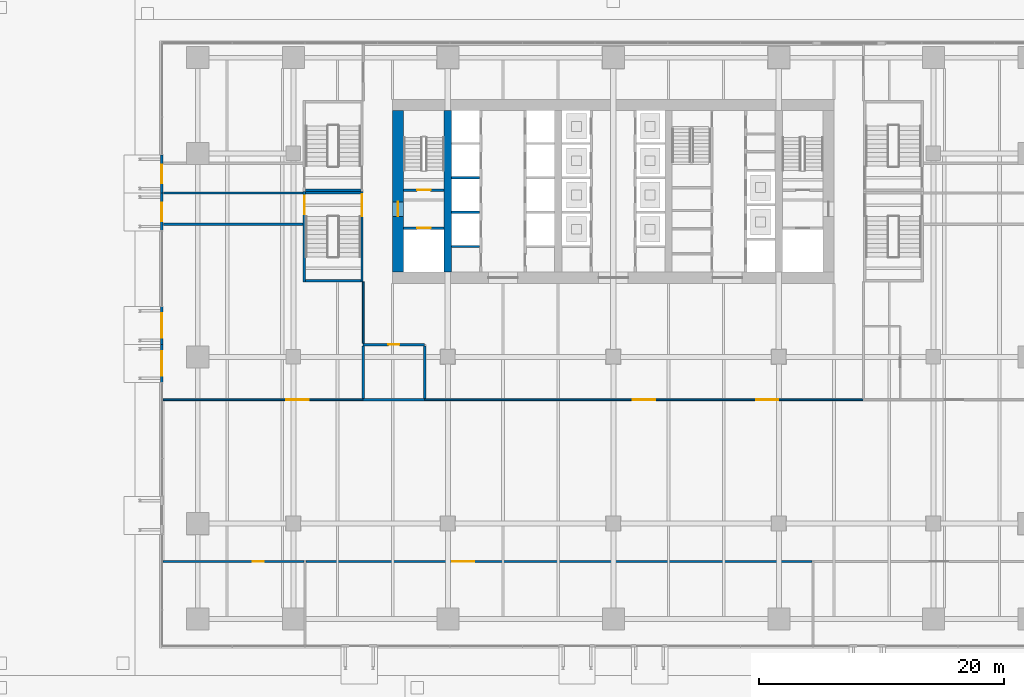
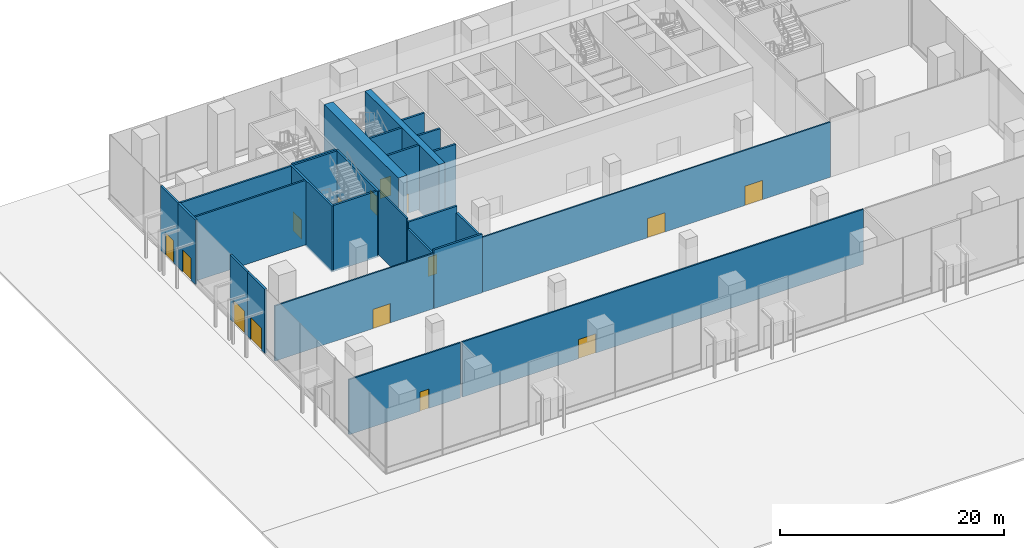
# One storey, part 29 of 41: 27 walls, 15 doors, 15 openings.
"""IFC4 building model written with IfcOpenShell, lengths in metres."""

import ifcopenshell
import ifcopenshell.guid

model = None  # the IFC model being written
_history = None  # IfcOwnerHistory: only IFC2X3 demands one
_inside = {}  # id of a spatial element -> (the spatial element, [elements in it])
_under = {}  # id of a project, library or spatial element -> (it, [spatial elements below it])
_declared = {}  # id of a project -> (the project, [libraries it declares])
_typed = {}  # id of a type object -> (the type object, [elements of that type])
_made_of = {}  # id of a material, layer set ... -> (it, [elements and type objects made of it])


def new_model(schema):
    """Start an empty IFC model of exactly this schema.

    Asked for "IFC4X3", IfcOpenShell would pick the latest addendum, in which some entities
    have other attributes; the version numbers below select the first issue.
    IFC2X3 requires an IfcOwnerHistory on every rooted entity: one is made here for all.
    """
    global model, _history
    if schema == "IFC4X3":
        model = ifcopenshell.file(schema_version=(4, 3, 0, 0))
    else:
        model = ifcopenshell.file(schema=schema)
    _inside.clear()
    _under.clear()
    _declared.clear()
    _typed.clear()
    _made_of.clear()
    _history = None
    if model.schema == "IFC2X3":
        org = make("IfcOrganization", Name="unknown")
        user = make(
            "IfcPersonAndOrganization",
            ThePerson=make("IfcPerson", FamilyName="unknown"),
            TheOrganization=org,
        )
        app = make(
            "IfcApplication",
            ApplicationDeveloper=org,
            Version="unknown",
            ApplicationFullName="unknown",
            ApplicationIdentifier="unknown",
        )
        _history = make(
            "IfcOwnerHistory",
            OwningUser=user,
            OwningApplication=app,
            ChangeAction="ADDED",
            CreationDate=0,
        )
    return model


def make(cls, **values):
    """One entity of the class cls with the attributes given. An attribute that is None is left unset."""
    return model.create_entity(
        cls, **{name: value for name, value in values.items() if value is not None}
    )


def rooted(cls, **values):
    """An entity with a GlobalId (a new one), such as an element, a storey or a relation."""
    return make(cls, GlobalId=ifcopenshell.guid.new(), OwnerHistory=_history, **values)


def si_unit(unit_type, name, prefix=None):
    """IfcSIUnit, for example si_unit("LENGTHUNIT", "METRE", prefix="MILLI")."""
    return make("IfcSIUnit", UnitType=unit_type, Prefix=prefix, Name=name)


def assignment(units):
    """IfcUnitAssignment: the units of a project."""
    return None if units is None else make("IfcUnitAssignment", Units=units)


def point(xyz):
    """IfcCartesianPoint."""
    return None if xyz is None else make("IfcCartesianPoint", Coordinates=xyz)


def direction(xyz):
    """IfcDirection."""
    return None if xyz is None else make("IfcDirection", DirectionRatios=xyz)


def frame(location, z_axis=None, x_axis=None):
    """IfcAxis2Placement3D, a coordinate frame: its origin and axes. An axis left out is left unset."""
    return make(
        "IfcAxis2Placement3D",
        Location=point(location),
        Axis=direction(z_axis),
        RefDirection=direction(x_axis),
    )


def frame_2d(location, x_axis=None):
    """IfcAxis2Placement2D, a coordinate frame in the plane: its origin and x axis."""
    return make(
        "IfcAxis2Placement2D", Location=point(location), RefDirection=direction(x_axis)
    )


def origin():
    """The frame at (0, 0, 0) with its axes left unset."""
    return frame((0.0, 0.0, 0.0))


def place(relative_to, where):
    """IfcLocalPlacement: puts the frame where relative to a parent placement (None: the world)."""
    return make(
        "IfcLocalPlacement", PlacementRelTo=relative_to, RelativePlacement=where
    )


def context(
    kind, dimensions, precision=None, world=None, true_north=None, identifier=None
):
    """IfcGeometricRepresentationContext, for example the 3D "Model" context."""
    return make(
        "IfcGeometricRepresentationContext",
        ContextIdentifier=identifier,
        ContextType=kind,
        CoordinateSpaceDimension=dimensions,
        Precision=precision,
        WorldCoordinateSystem=world,
        TrueNorth=true_north,
    )


def subcontext(parent, identifier, kind, view, scale=None):
    """IfcGeometricRepresentationSubContext, for example "Body" below "Model"."""
    return make(
        "IfcGeometricRepresentationSubContext",
        ContextIdentifier=identifier,
        ContextType=kind,
        ParentContext=parent,
        TargetScale=scale,
        TargetView=view,
    )


def project(units=None, contexts=None):
    """IfcProject with its units and contexts."""
    return rooted(
        "IfcProject",
        Name="project",
        RepresentationContexts=contexts,
        UnitsInContext=assignment(units),
    )


def spatial(cls, under=None, at=None, **own):
    """A site, building, storey or space (cls), placed at a placement, below another one or the project."""
    s = rooted(cls, ObjectPlacement=at, **own)
    if under is not None:
        _under.setdefault(under.id(), (under, []))[1].append(s)
    return s


def profile(cls, at=None, kind="AREA", **sizes):
    """A parametric profile (cls). Its sizes go by their IFC names, for example OverallWidth=200.0."""
    return make(cls, ProfileType=kind, Position=at, **sizes)


def rectangle(**sizes):
    """IfcRectangleProfileDef."""
    return profile("IfcRectangleProfileDef", **sizes)


def extrude(swept, where, along, depth):
    """IfcExtrudedAreaSolid: the profile swept, set in the frame where, extruded along a direction by depth."""
    return make(
        "IfcExtrudedAreaSolid",
        SweptArea=swept,
        Position=where,
        ExtrudedDirection=direction(along),
        Depth=depth,
    )


def shape(context_of_items, identifier, shape_type, items):
    """IfcShapeRepresentation: the items that make up one representation, for example the "Body"."""
    return make(
        "IfcShapeRepresentation",
        ContextOfItems=context_of_items,
        RepresentationIdentifier=identifier,
        RepresentationType=shape_type,
        Items=items,
    )


def material(Name=None, Category=None):
    """IfcMaterial."""
    return make("IfcMaterial", Name=Name, Category=Category)


def layer(
    of_material, thickness, ventilated=None, Name=None, Category=None, Priority=None
):
    """IfcMaterialLayer: one layer of a wall or slab, of a material (None: an air gap)."""
    return make(
        "IfcMaterialLayer",
        Material=of_material,
        LayerThickness=thickness,
        IsVentilated=ventilated,
        Name=Name,
        Category=Category,
        Priority=Priority,
    )


def layer_set(layers, Name=None):
    """IfcMaterialLayerSet."""
    return make("IfcMaterialLayerSet", MaterialLayers=layers, LayerSetName=Name)


def made_of(thing, what):
    """Note that an element or type object is made of a material, layer set ...; save() writes the relation."""
    if what is not None:
        _made_of.setdefault(what.id(), (what, []))[1].append(thing)
    return thing


def type_object(cls, material=None, **own):
    """A type object (cls), such as IfcWallType, which elements share."""
    return made_of(rooted(cls, **own), material)


def element(
    cls,
    number,
    at=None,
    inside=None,
    cuts=None,
    type_object=None,
    material=None,
    context=None,
    identifier="Body",
    shape_type=None,
    held_by="IfcProductDefinitionShape",
    body=None,
    shapes=None,
    **own,
):
    """One element of the class cls, such as IfcWall. Its Tag is "e" and its number.

    at: its placement. inside: the storey or other place that contains it. cuts: it is an
    opening in that element (IfcRelVoidsElement). A single representation is given by context,
    identifier, shape_type and body (its items); several are given by shapes. held_by: the class
    of the entity that holds the representations. save() writes the other relations.
    """
    e = rooted(cls, Tag="e%d" % number, ObjectPlacement=at, **own)
    if body is not None:
        shapes = [shape(context, identifier, shape_type, body)]
    if shapes is not None:
        e.Representation = make(held_by, Representations=shapes)
    if inside is not None:
        _inside.setdefault(inside.id(), (inside, []))[1].append(e)
    if cuts is not None:
        rooted(
            "IfcRelVoidsElement", RelatingBuildingElement=cuts, RelatedOpeningElement=e
        )
    if type_object is not None:
        _typed.setdefault(type_object.id(), (type_object, []))[1].append(e)
    return made_of(e, material)


def fill(opening, filler):
    """IfcRelFillsElement: the door or window that sits in an opening."""
    return rooted(
        "IfcRelFillsElement",
        RelatingOpeningElement=opening,
        RelatedBuildingElement=filler,
    )


def aggregate(whole, parts):
    """IfcRelAggregates: a whole, such as a stair, and the parts it consists of."""
    return rooted("IfcRelAggregates", RelatingObject=whole, RelatedObjects=parts)


def save(model, path):
    """Write the relations noted so far, then the file.

    IfcRelAggregates (storeys below a building ...), IfcRelContainedInSpatialStructure (elements
    in a storey), IfcRelDefinesByType, IfcRelAssociatesMaterial and IfcRelDeclares: one each for
    every whole, place, type object, material and project.
    """
    for whole, parts in _under.values():
        aggregate(whole, parts)
    for where, things in _inside.values():
        rooted(
            "IfcRelContainedInSpatialStructure",
            RelatedElements=things,
            RelatingStructure=where,
        )
    for kind, things in _typed.values():
        rooted("IfcRelDefinesByType", RelatedObjects=things, RelatingType=kind)
    for what, things in _made_of.values():
        rooted("IfcRelAssociatesMaterial", RelatedObjects=things, RelatingMaterial=what)
    for by, libraries in _declared.values():
        rooted("IfcRelDeclares", RelatingContext=by, RelatedDefinitions=libraries)
    model.write(path)


model = new_model("IFC4")

# Units and contexts
model_context = context("Model", 3, precision=1e-05, world=origin(), true_north=direction((0.0, 1.0)))
body_context = subcontext(model_context, "Body", "Model", "MODEL_VIEW")
ifc_project = project(units=[si_unit("LENGTHUNIT", "METRE"), si_unit("AREAUNIT", "SQUARE_METRE"), si_unit("VOLUMEUNIT", "CUBIC_METRE"), si_unit("PLANEANGLEUNIT", "RADIAN"), si_unit("MASSUNIT", "GRAM", prefix="KILO")], contexts=[model_context])

# Site, building, storey
site_placement = place(None, origin())
site = spatial("IfcSite", under=ifc_project, at=site_placement, CompositionType="ELEMENT")
building_placement = place(site_placement, origin())
building = spatial("IfcBuilding", under=site, at=building_placement, Name="Rattan Terrace Tower", CompositionType="ELEMENT")
storey_placement = place(building_placement, origin())
storey = spatial("IfcBuildingStorey", under=building, at=storey_placement, Name="L00", CompositionType="ELEMENT", Elevation=0.0)

# Wall, opening, door
ifc_material_1 = material(Name="Gypsum board partition")
ifc_layer_1 = layer(ifc_material_1, 0.199951171875)
ifc_layer_set_1 = layer_set([ifc_layer_1], Name="Core partition 200")
wall_type_1 = type_object("IfcWallType", Name="Core partition 200", PredefinedType="PARTITIONING", material=ifc_layer_set_1)
wall_1_placement = place(storey_placement, frame((-17.10009765625, -3.0, 0.0), z_axis=(0.0, 0.0, 1.0), x_axis=(1.0, 0.0, 0.0)))
wall_1 = element("IfcWall", 1, at=wall_1_placement, inside=storey, type_object=wall_type_1, Name="Fire-fighting lobby wall", PredefinedType="PARTITIONING", context=body_context, shape_type="SweptSolid", body=[
    extrude(rectangle(XDim=3.300048828125, YDim=0.199951171875, at=frame_2d((1.64990234375, 0.0))), origin(), (0.0, 0.0, 1.0), 7.0),
])
opening_1_placement = place(wall_1_placement, frame((1.10009765625, 0.0, 0.0)))
opening_1 = element("IfcOpeningElement", 2, at=opening_1_placement, cuts=wall_1, Name="Opening L00-LD-FF1", PredefinedType="OPENING", context=body_context, shape_type="SweptSolid", body=[
    extrude(rectangle(XDim=1.10009765625, YDim=2.10009765625, at=frame_2d((0.550048828125, 1.050048828125))), frame((0.0, 0.110595703125, 0.0), z_axis=(0.0, -1.0, 0.0), x_axis=(1.0, 0.0, 0.0)), (0.0, 0.0, 1.0), 0.220947265625),
])
ifc_material_2 = material(Name="Brushed stainless landing door panel")
door_type_1 = type_object("IfcDoorType", Name="Core lift landing door 1100", OperationType="DOUBLE_DOOR_SLIDING", PredefinedType="DOOR", material=ifc_material_2)
door_1_placement = place(opening_1_placement, origin())
door_1 = element("IfcDoor", 3, at=door_1_placement, inside=storey, type_object=door_type_1, Name="Door L00-LD-FF1", OperationType="DOUBLE_DOOR_SLIDING", OverallHeight=2.10009765625, OverallWidth=1.10009765625, PredefinedType="DOOR", context=body_context, shape_type="SweptSolid", body=[
    extrude(rectangle(XDim=1.10009765625, YDim=2.10009765625, at=frame_2d((0.550048828125, 1.050048828125))), frame((0.0, 0.02490234375, 0.0), z_axis=(0.0, -1.0, 0.0), x_axis=(1.0, 0.0, 0.0)), (0.0, 0.0, 1.0), 0.050048828125),
])
fill(opening_1, door_1)

wall_2_placement = place(storey_placement, frame((-17.10009765625, 0.10009765625, 0.0), z_axis=(0.0, 0.0, 1.0), x_axis=(1.0, 0.0, 0.0)))
wall_2 = element("IfcWall", 4, at=wall_2_placement, inside=storey, type_object=wall_type_1, Name="Stair enclosure wall", PredefinedType="PARTITIONING", context=body_context, shape_type="SweptSolid", body=[
    extrude(rectangle(XDim=3.300048828125, YDim=0.199951171875, at=frame_2d((1.64990234375, 0.0))), origin(), (0.0, 0.0, 1.0), 7.0),
])
opening_2_placement = place(wall_2_placement, frame((1.10009765625, 0.0, 0.0)))
opening_2 = element("IfcOpeningElement", 5, at=opening_2_placement, cuts=wall_2, Name="Opening L00-D002", PredefinedType="OPENING", context=body_context, shape_type="SweptSolid", body=[
    extrude(rectangle(XDim=1.10009765625, YDim=2.10009765625, at=frame_2d((0.550048828125, 1.050048828125))), frame((0.0, 0.110595703125, 0.0), z_axis=(0.0, -1.0, 0.0), x_axis=(1.0, 0.0, 0.0)), (0.0, 0.0, 1.0), 0.220947265625),
])
ifc_material_3 = material(Name="Hollow-metal fire door leaf")
door_type_2 = type_object("IfcDoorType", Name="Core stair door 1100", OperationType="NOTDEFINED", PredefinedType="DOOR", material=ifc_material_3)
door_2_placement = place(opening_2_placement, origin())
door_2 = element("IfcDoor", 6, at=door_2_placement, inside=storey, type_object=door_type_2, Name="Door L00-D002", OperationType="SINGLE_SWING_LEFT", OverallHeight=2.10009765625, OverallWidth=1.10009765625, PredefinedType="DOOR", context=body_context, shape_type="SweptSolid", body=[
    extrude(rectangle(XDim=1.10009765625, YDim=2.10009765625, at=frame_2d((0.550048828125, 1.050048828125))), frame((0.0, 0.02490234375, 0.0), z_axis=(0.0, -1.0, 0.0), x_axis=(1.0, 0.0, 0.0)), (0.0, 0.0, 1.0), 0.050048828125),
])
fill(opening_2, door_2)

ifc_material_4 = material(Name="Concrete C70/85", Category="concrete")
ifc_layer_2 = layer(ifc_material_4, 0.89990234375)
ifc_layer_set_2 = layer_set([ifc_layer_2], Name="Core ring wall 900 C70/85")
wall_type_2 = type_object("IfcWallType", Name="Core ring wall 900 C70/85", PredefinedType="SHEAR", material=ifc_layer_set_2)
wall_3_placement = place(storey_placement, frame((-17.550048828125, -6.60009765625, -0.199951171875), z_axis=(0.0, 0.0, 1.0), x_axis=(0.0, 1.0, 0.0)))
wall_3 = element("IfcWall", 7, at=wall_3_placement, inside=storey, type_object=wall_type_2, Name="Rear core wall west", PredefinedType="SHEAR", context=body_context, shape_type="SweptSolid", body=[
    extrude(rectangle(XDim=13.2001953125, YDim=0.89990234375, at=frame_2d((6.60009765625, 0.0))), origin(), (0.0, 0.0, 1.0), 7.199951171875),
])
opening_3_placement = place(wall_3_placement, frame((4.550048828125, 0.0, 0.199951171875)))
opening_3 = element("IfcOpeningElement", 8, at=opening_3_placement, cuts=wall_3, Name="Opening L00-D001", PredefinedType="OPENING", context=body_context, shape_type="SweptSolid", body=[
    extrude(rectangle(XDim=1.199951171875, YDim=2.10009765625, at=frame_2d((0.60009765625, 1.050048828125))), frame((0.0, 0.46044921875, 0.0), z_axis=(0.0, -1.0, 0.0), x_axis=(1.0, 0.0, 0.0)), (0.0, 0.0, 1.0), 0.9208984375),
])
ifc_material_5 = material(Name="Hollow-metal fire door leaf")
door_type_3 = type_object("IfcDoorType", Name="Core fire-fighting lobby door 1200", OperationType="NOTDEFINED", PredefinedType="DOOR", material=ifc_material_5)
door_3_placement = place(opening_3_placement, origin())
door_3 = element("IfcDoor", 9, at=door_3_placement, inside=storey, type_object=door_type_3, Name="Door L00-D001", OperationType="SINGLE_SWING_RIGHT", OverallHeight=2.10009765625, OverallWidth=1.199951171875, PredefinedType="DOOR", context=body_context, shape_type="SweptSolid", body=[
    extrude(rectangle(XDim=1.199951171875, YDim=2.10009765625, at=frame_2d((0.60009765625, 1.050048828125))), frame((0.0, 0.02490234375, 0.0), z_axis=(0.0, -1.0, 0.0), x_axis=(1.0, 0.0, 0.0)), (0.0, 0.0, 1.0), 0.050048828125),
])
fill(opening_3, door_3)

# Walls
ifc_material_6 = material(Name="Concrete C70/85", Category="concrete")
ifc_layer_3 = layer(ifc_material_6, 0.60009765625)
ifc_layer_set_3 = layer_set([ifc_layer_3], Name="Core spine wall 600 C70/85")
wall_type_3 = type_object("IfcWallType", Name="Core spine wall 600 C70/85", PredefinedType="SHEAR", material=ifc_layer_set_3)
wall_4_placement = place(storey_placement, frame((-13.5, -6.60009765625, -0.199951171875), z_axis=(0.0, 0.0, 1.0), x_axis=(0.0, 1.0, 0.0)))
element("IfcWall", 10, at=wall_4_placement, inside=storey, type_object=wall_type_3, Name="Core spine wall 1", PredefinedType="SHEAR", context=body_context, shape_type="SweptSolid", body=[
    extrude(rectangle(XDim=13.2001953125, YDim=0.60009765625, at=frame_2d((6.60009765625, 0.0))), origin(), (0.0, 0.0, 1.0), 7.199951171875),
])
ifc_material_7 = material(Name="Concrete block wall, plastered", Category="concrete")
ifc_layer_4 = layer(ifc_material_7, 0.179931640625)
ifc_layer_set_4 = layer_set([ifc_layer_4], Name="Exit passage wall 180")
wall_type_4 = type_object("IfcWallType", Name="Exit passage wall 180", PredefinedType="PARTITIONING", material=ifc_layer_set_4)
for number, where, z_axis, x_axis, name in (
    (11, (-36.699951171875, -2.68994140625, 0.0), (0.0, 0.0, 1.0), (1.0, 0.0, 0.0), "L00 exit passage wall S-W"),
    (12, (-36.699951171875, -0.125, 0.0), (0.0, 0.0, 1.0), (1.0, 0.0, 0.0), "L00 exit passage wall M-W"),
):
    element("IfcWall", number, at=place(storey_placement, frame(where, z_axis=z_axis, x_axis=x_axis)), inside=storey, type_object=wall_type_4, Name=name, PredefinedType="PARTITIONING", context=body_context, shape_type="SweptSolid", body=[
        extrude(rectangle(XDim=11.39990234375, YDim=0.179931640625, at=frame_2d((5.699951171875, 0.0))), origin(), (0.0, 0.0, 1.0), 7.0),
    ])

# Wall, opening, door
ifc_material_8 = material(Name="Insulated aluminium-clad stud wall", Category="aluminium")
ifc_layer_5 = layer(ifc_material_8, 0.199951171875)
ifc_layer_set_5 = layer_set([ifc_layer_5], Name="Facade Door Wall 200")
wall_type_5 = type_object("IfcWallType", Name="Facade Door Wall 200", PredefinedType="SOLIDWALL", material=ifc_layer_set_5)
wall_5_placement = place(storey_placement, frame((-36.830078125, -0.1259765625, 0.0), z_axis=(0.0, 0.0, 1.0), x_axis=(0.0, 1.0, 0.0)))
wall_5 = element("IfcWall", 13, at=wall_5_placement, inside=storey, type_object=wall_type_5, Name="Exit door wall L00-6", PredefinedType="SOLIDWALL", context=body_context, shape_type="SweptSolid", body=[
    extrude(rectangle(XDim=3.093994140625, YDim=0.199951171875, at=frame_2d((1.546875, 0.0))), origin(), (0.0, 0.0, 1.0), 7.0),
])
opening_4_placement = place(wall_5_placement, frame((0.797119140625, 0.0, 0.0)))
opening_4 = element("IfcOpeningElement", 14, at=opening_4_placement, cuts=wall_5, Name="Opening L00-D813", PredefinedType="OPENING", context=body_context, shape_type="SweptSolid", body=[
    extrude(rectangle(XDim=1.5, YDim=2.39990234375, at=frame_2d((0.75, 1.199951171875))), frame((0.0, 0.110595703125, 0.0), z_axis=(0.0, -1.0, 0.0), x_axis=(1.0, 0.0, 0.0)), (0.0, 0.0, 1.0), 0.220947265625),
])
ifc_material_9 = material(Name="Aluminium and clear glass", Category="aluminium")
door_type_4 = type_object("IfcDoorType", Name="Facade Station Exit Door 1500", OperationType="DOUBLE_DOOR_SINGLE_SWING", PredefinedType="DOOR", material=ifc_material_9)
door_4_placement = place(opening_4_placement, origin())
door_4 = element("IfcDoor", 15, at=door_4_placement, inside=storey, type_object=door_type_4, Name="Exit door L00-D813", OperationType="DOUBLE_DOOR_SINGLE_SWING", OverallHeight=2.39990234375, OverallWidth=1.5, PredefinedType="DOOR", context=body_context, shape_type="SweptSolid", body=[
    extrude(rectangle(XDim=1.5, YDim=2.39990234375, at=frame_2d((0.75, 1.199951171875))), frame((0.0, 0.02490234375, 0.0), z_axis=(0.0, -1.0, 0.0), x_axis=(1.0, 0.0, 0.0)), (0.0, 0.0, 1.0), 0.050048828125),
])
fill(opening_4, door_4)

wall_6_placement = place(storey_placement, frame((-36.830078125, -3.219970703125, 0.0), z_axis=(0.0, 0.0, 1.0), x_axis=(0.0, 1.0, 0.0)))
wall_6 = element("IfcWall", 16, at=wall_6_placement, inside=storey, type_object=wall_type_5, Name="Exit door wall L00-7", PredefinedType="SOLIDWALL", context=body_context, shape_type="SweptSolid", body=[
    extrude(rectangle(XDim=3.093994140625, YDim=0.199951171875, at=frame_2d((1.546875, 0.0))), origin(), (0.0, 0.0, 1.0), 7.0),
])
opening_5_placement = place(wall_6_placement, frame((0.797119140625, 0.0, 0.0)))
opening_5 = element("IfcOpeningElement", 17, at=opening_5_placement, cuts=wall_6, Name="Opening L00-D814", PredefinedType="OPENING", context=body_context, shape_type="SweptSolid", body=[
    extrude(rectangle(XDim=1.5, YDim=2.39990234375, at=frame_2d((0.75, 1.199951171875))), frame((0.0, 0.110595703125, 0.0), z_axis=(0.0, -1.0, 0.0), x_axis=(1.0, 0.0, 0.0)), (0.0, 0.0, 1.0), 0.220947265625),
])
door_5_placement = place(opening_5_placement, origin())
door_5 = element("IfcDoor", 18, at=door_5_placement, inside=storey, type_object=door_type_4, Name="Exit door L00-D814", OperationType="DOUBLE_DOOR_SINGLE_SWING", OverallHeight=2.39990234375, OverallWidth=1.5, PredefinedType="DOOR", context=body_context, shape_type="SweptSolid", body=[
    extrude(rectangle(XDim=1.5, YDim=2.39990234375, at=frame_2d((0.75, 1.199951171875))), frame((0.0, 0.02490234375, 0.0), z_axis=(0.0, -1.0, 0.0), x_axis=(1.0, 0.0, 0.0)), (0.0, 0.0, 1.0), 0.050048828125),
])
fill(opening_5, door_5)

wall_7_placement = place(storey_placement, frame((-36.830078125, -9.407958984375, 0.0), z_axis=(0.0, 0.0, 1.0), x_axis=(0.0, -1.0, 0.0)))
wall_7 = element("IfcWall", 19, at=wall_7_placement, inside=storey, type_object=wall_type_5, Name="Entrance door wall L00-8", PredefinedType="SOLIDWALL", context=body_context, shape_type="SweptSolid", body=[
    extrude(rectangle(XDim=3.093994140625, YDim=0.199951171875, at=frame_2d((1.546875, 0.0))), origin(), (0.0, 0.0, 1.0), 7.0),
])
opening_6_placement = place(wall_7_placement, frame((0.547119140625, 0.0, 0.0)))
opening_6 = element("IfcOpeningElement", 20, at=opening_6_placement, cuts=wall_7, Name="Opening L00-D803", PredefinedType="OPENING", context=body_context, shape_type="SweptSolid", body=[
    extrude(rectangle(XDim=2.0, YDim=2.39990234375, at=frame_2d((1.0, 1.199951171875))), frame((0.0, 0.110595703125, 0.0), z_axis=(0.0, -1.0, 0.0), x_axis=(1.0, 0.0, 0.0)), (0.0, 0.0, 1.0), 0.220947265625),
])
ifc_material_10 = material(Name="Aluminium and clear glass", Category="aluminium")
door_type_5 = type_object("IfcDoorType", Name="Facade Entrance Door 2000", OperationType="DOUBLE_DOOR_SINGLE_SWING", PredefinedType="DOOR", material=ifc_material_10)
door_6_placement = place(opening_6_placement, origin())
door_6 = element("IfcDoor", 21, at=door_6_placement, inside=storey, type_object=door_type_5, Name="Entrance door L00-D803", OperationType="DOUBLE_DOOR_SINGLE_SWING", OverallHeight=2.39990234375, OverallWidth=2.0, PredefinedType="DOOR", context=body_context, shape_type="SweptSolid", body=[
    extrude(rectangle(XDim=2.0, YDim=2.39990234375, at=frame_2d((1.0, 1.199951171875))), frame((0.0, 0.02490234375, 0.0), z_axis=(0.0, -1.0, 0.0), x_axis=(1.0, 0.0, 0.0)), (0.0, 0.0, 1.0), 0.050048828125),
])
fill(opening_6, door_6)

wall_8_placement = place(storey_placement, frame((-36.830078125, -12.501953125, 0.0), z_axis=(0.0, 0.0, 1.0), x_axis=(0.0, -1.0, 0.0)))
wall_8 = element("IfcWall", 22, at=wall_8_placement, inside=storey, type_object=wall_type_5, Name="Entrance door wall L00-9", PredefinedType="SOLIDWALL", context=body_context, shape_type="SweptSolid", body=[
    extrude(rectangle(XDim=3.093994140625, YDim=0.199951171875, at=frame_2d((1.546875, 0.0))), origin(), (0.0, 0.0, 1.0), 7.0),
])
opening_7_placement = place(wall_8_placement, frame((0.547119140625, 0.0, 0.0)))
opening_7 = element("IfcOpeningElement", 23, at=opening_7_placement, cuts=wall_8, Name="Opening L00-D804", PredefinedType="OPENING", context=body_context, shape_type="SweptSolid", body=[
    extrude(rectangle(XDim=2.0, YDim=2.39990234375, at=frame_2d((1.0, 1.199951171875))), frame((0.0, 0.110595703125, 0.0), z_axis=(0.0, -1.0, 0.0), x_axis=(1.0, 0.0, 0.0)), (0.0, 0.0, 1.0), 0.220947265625),
])
door_7_placement = place(opening_7_placement, origin())
door_7 = element("IfcDoor", 24, at=door_7_placement, inside=storey, type_object=door_type_5, Name="Entrance door L00-D804", OperationType="DOUBLE_DOOR_SINGLE_SWING", OverallHeight=2.39990234375, OverallWidth=2.0, PredefinedType="DOOR", context=body_context, shape_type="SweptSolid", body=[
    extrude(rectangle(XDim=2.0, YDim=2.39990234375, at=frame_2d((1.0, 1.199951171875))), frame((0.0, 0.02490234375, 0.0), z_axis=(0.0, -1.0, 0.0), x_axis=(1.0, 0.0, 0.0)), (0.0, 0.0, 1.0), 0.050048828125),
])
fill(opening_7, door_7)

ifc_material_11 = material(Name="Concrete block wall, plastered", Category="concrete")
ifc_layer_6 = layer(ifc_material_11, 0.199951171875)
ifc_layer_set_6 = layer_set([ifc_layer_6], Name="Floors Plant Wall 200")
wall_type_6 = type_object("IfcWallType", Name="Floors Plant Wall 200", PredefinedType="PARTITIONING", material=ifc_layer_set_6)
wall_9_placement = place(storey_placement, frame((-15.39990234375, -12.5, 0.0), z_axis=(0.0, 0.0, 1.0), x_axis=(-1.0, 0.0, 0.0)))
wall_9 = element("IfcWall", 25, at=wall_9_placement, inside=storey, type_object=wall_type_6, Name="pt-L00-001", PredefinedType="PARTITIONING", context=body_context, shape_type="SweptSolid", body=[
    extrude(rectangle(XDim=5.0, YDim=0.199951171875, at=frame_2d((2.5, 0.0))), origin(), (0.0, 0.0, 1.0), 6.699951171875),
])
opening_8_placement = place(wall_9_placement, frame((2.050048828125, 0.0, 0.0)))
opening_8 = element("IfcOpeningElement", 26, at=opening_8_placement, cuts=wall_9, Name="Opening L00-D102", PredefinedType="OPENING", context=body_context, shape_type="SweptSolid", body=[
    extrude(rectangle(XDim=0.89990234375, YDim=2.10009765625, at=frame_2d((0.449951171875, 1.050048828125))), frame((0.0, 0.110595703125, 0.0), z_axis=(0.0, -1.0, 0.0), x_axis=(1.0, 0.0, 0.0)), (0.0, 0.0, 1.0), 0.220947265625),
])
ifc_material_12 = material(Name="Steel fire door set", Category="steel")
door_type_6 = type_object("IfcDoorType", Name="Floors Fire Door FD60 900x2100", OperationType="NOTDEFINED", PredefinedType="DOOR", material=ifc_material_12)
door_8_placement = place(opening_8_placement, origin())
door_8 = element("IfcDoor", 27, at=door_8_placement, inside=storey, type_object=door_type_6, Name="d-L00-102", OperationType="SINGLE_SWING_LEFT", OverallHeight=2.10009765625, OverallWidth=0.89990234375, PredefinedType="DOOR", context=body_context, shape_type="SweptSolid", body=[
    extrude(rectangle(XDim=0.89990234375, YDim=2.10009765625, at=frame_2d((0.449951171875, 1.050048828125))), frame((0.0, 0.02490234375, 0.0), z_axis=(0.0, -1.0, 0.0), x_axis=(1.0, 0.0, 0.0)), (0.0, 0.0, 1.0), 0.050048828125),
])
fill(opening_8, door_8)

# Walls
wall_10_placement = place(storey_placement, frame((-15.39892578125, -16.89990234375, 0.0), z_axis=(0.0, 0.0, 1.0), x_axis=(0.0, 1.0, 0.0)))
element("IfcWall", 28, at=wall_10_placement, inside=storey, type_object=wall_type_6, Name="pt-L00-002", PredefinedType="PARTITIONING", context=body_context, shape_type="SweptSolid", body=[
    extrude(rectangle(XDim=4.2998046875, YDim=0.199951171875, at=frame_2d((2.14990234375, 0.0))), origin(), (0.0, 0.0, 1.0), 6.0),
])
wall_11_placement = place(storey_placement, frame((-15.39990234375, -17.0, 0.0), z_axis=(0.0, 0.0, 1.0), x_axis=(-1.0, 0.0, 0.0)))
element("IfcWall", 29, at=wall_11_placement, inside=storey, type_object=wall_type_6, Name="pt-L00-009", PredefinedType="PARTITIONING", context=body_context, shape_type="SweptSolid", body=[
    extrude(rectangle(XDim=5.0, YDim=0.199951171875, at=frame_2d((2.5, 0.0))), origin(), (0.0, 0.0, 1.0), 6.389892578125),
])
wall_12_placement = place(storey_placement, frame((-20.40087890625, -16.89990234375, 0.0), z_axis=(0.0, 0.0, 1.0), x_axis=(0.0, 1.0, 0.0)))
element("IfcWall", 30, at=wall_12_placement, inside=storey, type_object=wall_type_6, Name="pt-L00-010", PredefinedType="PARTITIONING", context=body_context, shape_type="SweptSolid", body=[
    extrude(rectangle(XDim=4.2998046875, YDim=0.199951171875, at=frame_2d((2.14990234375, 0.0))), origin(), (0.0, 0.0, 1.0), 6.0),
])

# Wall, openings, doors
ifc_material_13 = material(Name="Gypsum board partition on steel studs, fire rated", Category="steel")
ifc_layer_7 = layer(ifc_material_13, 0.14990234375)
ifc_layer_set_7 = layer_set([ifc_layer_7], Name="Floors Tenancy Wall 150")
wall_type_7 = type_object("IfcWallType", Name="Floors Tenancy Wall 150", PredefinedType="PARTITIONING", material=ifc_layer_set_7)
wall_13_placement = place(storey_placement, frame((-15.39990234375, -17.0, 0.0), z_axis=(0.0, 0.0, 1.0), x_axis=(1.0, 0.0, 0.0)))
wall_13 = element("IfcWall", 31, at=wall_13_placement, inside=storey, type_object=wall_type_7, Name="pt-L00-003", PredefinedType="PARTITIONING", context=body_context, shape_type="SweptSolid", body=[
    extrude(rectangle(XDim=35.7998046875, YDim=0.14990234375, at=frame_2d((17.89990234375, 0.0))), origin(), (0.0, 0.0, 1.0), 6.0),
])
opening_9_placement = place(wall_13_placement, frame((17.0, 0.0, 0.0)))
opening_9 = element("IfcOpeningElement", 32, at=opening_9_placement, cuts=wall_13, Name="Opening L00-D100", PredefinedType="OPENING", context=body_context, shape_type="SweptSolid", body=[
    extrude(rectangle(XDim=1.800048828125, YDim=2.10009765625, at=frame_2d((0.89990234375, 1.050048828125))), frame((0.0, 0.08544921875, 0.0), z_axis=(0.0, -1.0, 0.0), x_axis=(1.0, 0.0, 0.0)), (0.0, 0.0, 1.0), 0.1708984375),
])
opening_10_placement = place(wall_13_placement, frame((27.050048828125, 0.0, 0.0)))
opening_10 = element("IfcOpeningElement", 33, at=opening_10_placement, cuts=wall_13, Name="Opening L00-D101", PredefinedType="OPENING", context=body_context, shape_type="SweptSolid", body=[
    extrude(rectangle(XDim=1.800048828125, YDim=2.10009765625, at=frame_2d((0.89990234375, 1.050048828125))), frame((0.0, 0.08544921875, 0.0), z_axis=(0.0, -1.0, 0.0), x_axis=(1.0, 0.0, 0.0)), (0.0, 0.0, 1.0), 0.1708984375),
])
ifc_material_14 = material(Name="Steel fire door set", Category="steel")
door_type_7 = type_object("IfcDoorType", Name="Floors Fire Door Pair FD30S 1800x2100", OperationType="NOTDEFINED", PredefinedType="DOOR", material=ifc_material_14)
door_9_placement = place(opening_9_placement, origin())
door_9 = element("IfcDoor", 34, at=door_9_placement, inside=storey, type_object=door_type_7, Name="d-L00-100", OperationType="DOUBLE_DOOR_SINGLE_SWING", OverallHeight=2.10009765625, OverallWidth=1.800048828125, PredefinedType="DOOR", context=body_context, shape_type="SweptSolid", body=[
    extrude(rectangle(XDim=1.800048828125, YDim=2.10009765625, at=frame_2d((0.89990234375, 1.050048828125))), frame((0.0, 0.02490234375, 0.0), z_axis=(0.0, -1.0, 0.0), x_axis=(1.0, 0.0, 0.0)), (0.0, 0.0, 1.0), 0.050048828125),
])
fill(opening_9, door_9)
door_10_placement = place(opening_10_placement, origin())
door_10 = element("IfcDoor", 35, at=door_10_placement, inside=storey, type_object=door_type_7, Name="d-L00-101", OperationType="DOUBLE_DOOR_SINGLE_SWING", OverallHeight=2.10009765625, OverallWidth=1.800048828125, PredefinedType="DOOR", context=body_context, shape_type="SweptSolid", body=[
    extrude(rectangle(XDim=1.800048828125, YDim=2.10009765625, at=frame_2d((0.89990234375, 1.050048828125))), frame((0.0, 0.02490234375, 0.0), z_axis=(0.0, -1.0, 0.0), x_axis=(1.0, 0.0, 0.0)), (0.0, 0.0, 1.0), 0.050048828125),
])
fill(opening_10, door_10)

# Wall
wall_14_placement = place(storey_placement, frame((-20.39990234375, -12.39990234375, 0.0), z_axis=(0.0, 0.0, 1.0), x_axis=(0.0, 1.0, 0.0)))
element("IfcWall", 36, at=wall_14_placement, inside=storey, type_object=wall_type_7, Name="pt-L00-004", PredefinedType="PARTITIONING", context=body_context, shape_type="SweptSolid", body=[
    extrude(rectangle(XDim=5.02001953125, YDim=0.14990234375, at=frame_2d((2.510009765625, 0.0))), origin(), (0.0, 0.0, 1.0), 7.0),
])

# Wall, opening, door
wall_15_placement = place(storey_placement, frame((-36.739990234375, -17.0, 0.0), z_axis=(0.0, 0.0, 1.0), x_axis=(1.0, 0.0, 0.0)))
wall_15 = element("IfcWall", 37, at=wall_15_placement, inside=storey, type_object=wall_type_7, Name="pt-L00-011", PredefinedType="PARTITIONING", context=body_context, shape_type="SweptSolid", body=[
    extrude(rectangle(XDim=16.340087890625, YDim=0.14990234375, at=frame_2d((8.169921875, 0.0))), origin(), (0.0, 0.0, 1.0), 6.0),
])
opening_11_placement = place(wall_15_placement, frame((10.077880859375, 0.0, 0.0)))
opening_11 = element("IfcOpeningElement", 38, at=opening_11_placement, cuts=wall_15, Name="Opening L00-D103", PredefinedType="OPENING", context=body_context, shape_type="SweptSolid", body=[
    extrude(rectangle(XDim=1.800048828125, YDim=2.10009765625, at=frame_2d((0.89990234375, 1.050048828125))), frame((0.0, 0.08544921875, 0.0), z_axis=(0.0, -1.0, 0.0), x_axis=(1.0, 0.0, 0.0)), (0.0, 0.0, 1.0), 0.1708984375),
])
door_11_placement = place(opening_11_placement, origin())
door_11 = element("IfcDoor", 39, at=door_11_placement, inside=storey, type_object=door_type_7, Name="d-L00-103", OperationType="DOUBLE_DOOR_SINGLE_SWING", OverallHeight=2.10009765625, OverallWidth=1.800048828125, PredefinedType="DOOR", context=body_context, shape_type="SweptSolid", body=[
    extrude(rectangle(XDim=1.800048828125, YDim=2.10009765625, at=frame_2d((0.89990234375, 1.050048828125))), frame((0.0, 0.02490234375, 0.0), z_axis=(0.0, -1.0, 0.0), x_axis=(1.0, 0.0, 0.0)), (0.0, 0.0, 1.0), 0.050048828125),
])
fill(opening_11, door_11)

wall_16_placement = place(storey_placement, frame((-25.242919921875, -30.199951171875, 0.0), z_axis=(0.0, 0.0, 1.0), x_axis=(-1.0, 0.0, 0.0)))
wall_16 = element("IfcWall", 40, at=wall_16_placement, inside=storey, type_object=wall_type_7, Name="pt-L00-014", PredefinedType="PARTITIONING", context=body_context, shape_type="SweptSolid", body=[
    extrude(rectangle(XDim=11.4970703125, YDim=0.14990234375, at=frame_2d((5.74853515625, 0.0))), origin(), (0.0, 0.0, 1.0), 6.0),
])
opening_12_placement = place(wall_16_placement, frame((3.279052734375, 0.0, 0.0)))
opening_12 = element("IfcOpeningElement", 41, at=opening_12_placement, cuts=wall_16, Name="Opening L00-D108", PredefinedType="OPENING", context=body_context, shape_type="SweptSolid", body=[
    extrude(rectangle(XDim=0.89990234375, YDim=2.10009765625, at=frame_2d((0.449951171875, 1.050048828125))), frame((0.0, 0.08544921875, 0.0), z_axis=(0.0, -1.0, 0.0), x_axis=(1.0, 0.0, 0.0)), (0.0, 0.0, 1.0), 0.1708984375),
])
ifc_material_15 = material(Name="Steel fire door set", Category="steel")
door_type_8 = type_object("IfcDoorType", Name="Floors Fire Door FD30S 900x2100", OperationType="NOTDEFINED", PredefinedType="DOOR", material=ifc_material_15)
door_12_placement = place(opening_12_placement, origin())
door_12 = element("IfcDoor", 42, at=door_12_placement, inside=storey, type_object=door_type_8, Name="d-L00-108", OperationType="SINGLE_SWING_LEFT", OverallHeight=2.10009765625, OverallWidth=0.89990234375, PredefinedType="DOOR", context=body_context, shape_type="SweptSolid", body=[
    extrude(rectangle(XDim=0.89990234375, YDim=2.10009765625, at=frame_2d((0.449951171875, 1.050048828125))), frame((0.0, 0.02490234375, 0.0), z_axis=(0.0, -1.0, 0.0), x_axis=(1.0, 0.0, 0.0)), (0.0, 0.0, 1.0), 0.050048828125),
])
fill(opening_12, door_12)

wall_17_placement = place(storey_placement, frame((16.18994140625, -30.199951171875, 0.0), z_axis=(0.0, 0.0, 1.0), x_axis=(-1.0, 0.0, 0.0)))
wall_17 = element("IfcWall", 43, at=wall_17_placement, inside=storey, type_object=wall_type_7, Name="pt-L00-015", PredefinedType="PARTITIONING", context=body_context, shape_type="SweptSolid", body=[
    extrude(rectangle(XDim=41.2529296875, YDim=0.14990234375, at=frame_2d((20.62646484375, 0.0))), origin(), (0.0, 0.0, 1.0), 6.0),
])
opening_13_placement = place(wall_17_placement, frame((27.51708984375, 0.0, 0.0)))
opening_13 = element("IfcOpeningElement", 44, at=opening_13_placement, cuts=wall_17, Name="Opening L00-D109", PredefinedType="OPENING", context=body_context, shape_type="SweptSolid", body=[
    extrude(rectangle(XDim=1.800048828125, YDim=2.10009765625, at=frame_2d((0.89990234375, 1.050048828125))), frame((0.0, 0.08544921875, 0.0), z_axis=(0.0, -1.0, 0.0), x_axis=(1.0, 0.0, 0.0)), (0.0, 0.0, 1.0), 0.1708984375),
])
door_13_placement = place(opening_13_placement, origin())
door_13 = element("IfcDoor", 45, at=door_13_placement, inside=storey, type_object=door_type_7, Name="d-L00-109", OperationType="DOUBLE_DOOR_SINGLE_SWING", OverallHeight=2.10009765625, OverallWidth=1.800048828125, PredefinedType="DOOR", context=body_context, shape_type="SweptSolid", body=[
    extrude(rectangle(XDim=1.800048828125, YDim=2.10009765625, at=frame_2d((0.89990234375, 1.050048828125))), frame((0.0, 0.02490234375, 0.0), z_axis=(0.0, -1.0, 0.0), x_axis=(1.0, 0.0, 0.0)), (0.0, 0.0, 1.0), 0.050048828125),
])
fill(opening_13, door_13)

# Walls
ifc_material_16 = material(Name="Gypsum shaft wall system")
ifc_layer_8 = layer(ifc_material_16, 0.199951171875)
ifc_layer_set_8 = layer_set([ifc_layer_8], Name="Lift shaft wall 200")
wall_type_8 = type_object("IfcWallType", Name="Lift shaft wall 200", PredefinedType="PARTITIONING", material=ifc_layer_set_8)
for number, where, z_axis, x_axis, name in (
    (46, (-13.199951171875, -1.699951171875, 0.0), (0.0, 0.0, 1.0), (1.0, 0.0, 0.0), "Lift shaft wall"),
    (47, (-13.199951171875, 1.10009765625, 0.0), (0.0, 0.0, 1.0), (1.0, 0.0, 0.0), "Lift shaft wall"),
    (48, (-13.199951171875, -4.5, 0.0), (0.0, 0.0, 1.0), (1.0, 0.0, 0.0), "Lift shaft wall"),
):
    element("IfcWall", number, at=place(storey_placement, frame(where, z_axis=z_axis, x_axis=x_axis)), inside=storey, type_object=wall_type_8, Name=name, PredefinedType="PARTITIONING", context=body_context, shape_type="SweptSolid", body=[
        extrude(rectangle(XDim=2.300048828125, YDim=0.199951171875, at=frame_2d((1.14990234375, 0.0))), origin(), (0.0, 0.0, 1.0), 7.0),
    ])

# Wall, opening, door
ifc_material_17 = material(Name="Concrete C40/50", Category="concrete")
ifc_layer_9 = layer(ifc_material_17, 0.199951171875)
ifc_layer_set_9 = layer_set([ifc_layer_9], Name="Podium exit stair shaft wall 200")
wall_type_9 = type_object("IfcWallType", Name="Podium exit stair shaft wall 200", PredefinedType="SHEAR", material=ifc_layer_set_9)
wall_18_placement = place(storey_placement, frame((-20.5, 0.0, -0.199951171875), z_axis=(0.0, 0.0, 1.0), x_axis=(0.0, -1.0, 0.0)))
wall_18 = element("IfcWall", 49, at=wall_18_placement, inside=storey, type_object=wall_type_9, Name="L00 stair S4 shaft wall", PredefinedType="SHEAR", context=body_context, shape_type="SweptSolid", body=[
    extrude(rectangle(XDim=7.39990234375, YDim=0.199951171875, at=frame_2d((3.699951171875, 0.0))), origin(), (0.0, 0.0, 1.0), 7.199951171875),
])
opening_14_placement = place(wall_18_placement, frame((0.22509765625, 0.0, 0.199951171875)))
opening_14 = element("IfcOpeningElement", 50, at=opening_14_placement, cuts=wall_18, Name="Opening L00-D901", PredefinedType="OPENING", context=body_context, shape_type="SweptSolid", body=[
    extrude(rectangle(XDim=1.800048828125, YDim=2.10009765625, at=frame_2d((0.89990234375, 1.050048828125))), frame((0.0, 0.110595703125, 0.0), z_axis=(0.0, -1.0, 0.0), x_axis=(1.0, 0.0, 0.0)), (0.0, 0.0, 1.0), 0.220947265625),
])
ifc_material_18 = material(Name="Hollow-metal fire door leaf")
door_type_9 = type_object("IfcDoorType", Name="Podium exit stair door pair 1800", OperationType="DOUBLE_DOOR_SINGLE_SWING", PredefinedType="DOOR", material=ifc_material_18)
door_14_placement = place(opening_14_placement, origin())
door_14 = element("IfcDoor", 51, at=door_14_placement, inside=storey, type_object=door_type_9, Name="Door L00-D901", OperationType="DOUBLE_DOOR_SINGLE_SWING", OverallHeight=2.10009765625, OverallWidth=1.800048828125, PredefinedType="DOOR", context=body_context, shape_type="SweptSolid", body=[
    extrude(rectangle(XDim=1.800048828125, YDim=2.10009765625, at=frame_2d((0.89990234375, 1.050048828125))), frame((0.0, 0.02490234375, 0.0), z_axis=(0.0, -1.0, 0.0), x_axis=(1.0, 0.0, 0.0)), (0.0, 0.0, 1.0), 0.050048828125),
])
fill(opening_14, door_14)

wall_19_placement = place(storey_placement, frame((-25.199951171875, -7.39990234375, -0.199951171875), z_axis=(0.0, 0.0, 1.0), x_axis=(0.0, 1.0, 0.0)))
wall_19 = element("IfcWall", 52, at=wall_19_placement, inside=storey, type_object=wall_type_9, Name="L00 stair S4 shaft wall", PredefinedType="SHEAR", context=body_context, shape_type="SweptSolid", body=[
    extrude(rectangle(XDim=7.39990234375, YDim=0.199951171875, at=frame_2d((3.699951171875, 0.0))), origin(), (0.0, 0.0, 1.0), 7.199951171875),
])
opening_15_placement = place(wall_19_placement, frame((5.52490234375, 0.0, 0.199951171875)))
opening_15 = element("IfcOpeningElement", 53, at=opening_15_placement, cuts=wall_19, Name="Opening L00-D911", PredefinedType="OPENING", context=body_context, shape_type="SweptSolid", body=[
    extrude(rectangle(XDim=1.5, YDim=2.10009765625, at=frame_2d((0.75, 1.050048828125))), frame((0.0, 0.110595703125, 0.0), z_axis=(0.0, -1.0, 0.0), x_axis=(1.0, 0.0, 0.0)), (0.0, 0.0, 1.0), 0.220947265625),
])
ifc_material_19 = material(Name="Hollow-metal fire door leaf")
door_type_10 = type_object("IfcDoorType", Name="Podium exit stair discharge door pair 1500", OperationType="DOUBLE_DOOR_SINGLE_SWING", PredefinedType="DOOR", material=ifc_material_19)
door_15_placement = place(opening_15_placement, origin())
door_15 = element("IfcDoor", 54, at=door_15_placement, inside=storey, type_object=door_type_10, Name="Door L00-D911", OperationType="DOUBLE_DOOR_SINGLE_SWING", OverallHeight=2.10009765625, OverallWidth=1.5, PredefinedType="DOOR", context=body_context, shape_type="SweptSolid", body=[
    extrude(rectangle(XDim=1.5, YDim=2.10009765625, at=frame_2d((0.75, 1.050048828125))), frame((0.0, 0.02490234375, 0.0), z_axis=(0.0, -1.0, 0.0), x_axis=(1.0, 0.0, 0.0)), (0.0, 0.0, 1.0), 0.050048828125),
])
fill(opening_15, door_15)

# Walls
for number, where, z_axis, x_axis, name in (
    (55, (-25.10009765625, -0.10009765625, -0.199951171875), (0.0, 0.0, 1.0), (1.0, 0.0, 0.0), "L00 stair S4 shaft wall"),
    (56, (-25.10009765625, -7.300048828125, -0.199951171875), (0.0, 0.0, 1.0), (1.0, 0.0, 0.0), "L00 stair S4 shaft wall"),
    (57, (-25.10009765625, 0.10009765625, -0.199951171875), (0.0, 0.0, 1.0), (1.0, 0.0, 0.0), "L00 stair S5 shaft wall"),
):
    element("IfcWall", number, at=place(storey_placement, frame(where, z_axis=z_axis, x_axis=x_axis)), inside=storey, type_object=wall_type_9, Name=name, PredefinedType="SHEAR", context=body_context, shape_type="SweptSolid", body=[
        extrude(rectangle(XDim=4.5, YDim=0.199951171875, at=frame_2d((2.25, 0.0))), origin(), (0.0, 0.0, 1.0), 7.199951171875),
    ])

save(model, "model.ifc")
